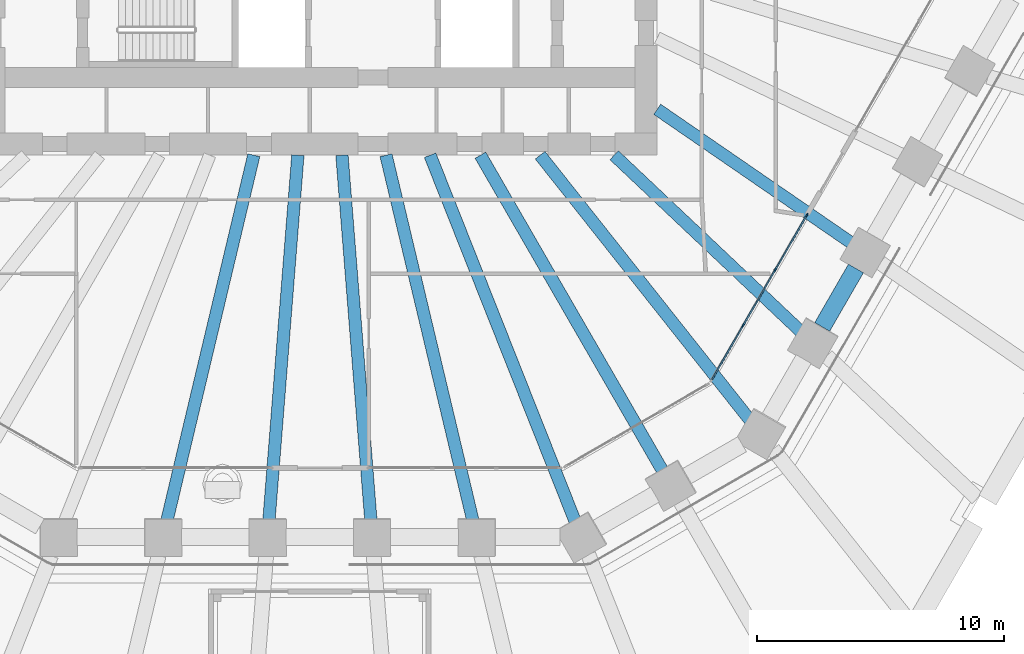
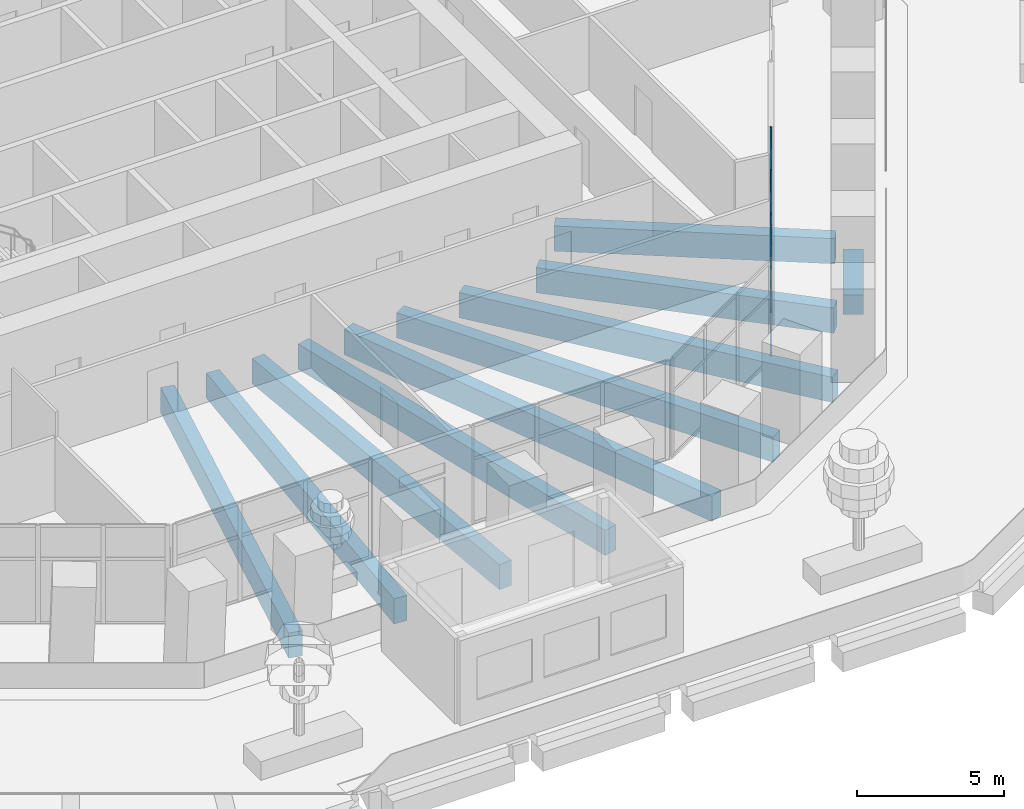
# One storey, part 8 of 32: 12 members, 10 beams, 1 element without a shape of its own.
"""IFC4 building model written with IfcOpenShell, lengths in metres."""

from ifc_helpers import new_model, si_unit, direction, frame, origin, origin_2d, place, context, subcontext, project, spatial, rectangle, extrude, material, material_profile, profile_set, type_object, element, aggregate, save


model = new_model("IFC4")

# Units and contexts
model_context = context("Model", 3, precision=1e-05, world=origin(), true_north=direction((0.0, 1.0)))
body_context = subcontext(model_context, "Body", "Model", "MODEL_VIEW")
ifc_project = project(units=[si_unit("LENGTHUNIT", "METRE"), si_unit("AREAUNIT", "SQUARE_METRE"), si_unit("VOLUMEUNIT", "CUBIC_METRE"), si_unit("PLANEANGLEUNIT", "RADIAN"), si_unit("MASSUNIT", "GRAM", prefix="KILO")], contexts=[model_context])

# Site, building, storey
site_placement = place(None, origin())
site = spatial("IfcSite", under=ifc_project, at=site_placement, CompositionType="ELEMENT")
building_placement = place(site_placement, origin())
building = spatial("IfcBuilding", under=site, at=building_placement, Name="Frailejon Research Tower", CompositionType="ELEMENT")
storey_placement = place(building_placement, frame((0.0, 0.0, 14.60009765625)))
storey = spatial("IfcBuildingStorey", under=building, at=storey_placement, Name="L03", CompositionType="ELEMENT", Elevation=14.60009765625)

# Curtain wall, members
ifc_material_1 = material(Name="Aluminium curtain wall", Category="aluminium")
curtain_wall_type = type_object("IfcCurtainWallType", Name="Base zone unitised curtain wall system", PredefinedType="NOTDEFINED", material=ifc_material_1)
curtain_wall_placement = place(storey_placement, origin())
curtain_wall = element("IfcCurtainWall", 1, at=curtain_wall_placement, inside=storey, type_object=curtain_wall_type, Name="Curtain wall L03", PredefinedType="NOTDEFINED")
ifc_material_2 = material(Name="Aluminium extrusion", Category="aluminium")
ifc_material_profile_1 = material_profile(ifc_material_2, rectangle(XDim=0.06005859375, YDim=0.159912109375, at=origin_2d()), Name="Base zone unitised curtain wall mullion 60x160")
ifc_profile_set_1 = profile_set([ifc_material_profile_1], Name="Aluminium extrusion")
member_type_1 = type_object("IfcMemberType", Name="Base zone unitised curtain wall mullion 60x160", PredefinedType="MULLION", material=ifc_profile_set_1)
member_1_placement = place(storey_placement, frame((17.127197265625, -18.135009765625, 0.0), z_axis=(0.0, 0.0, 1.0), x_axis=(-0.866029434533, 0.499993018474, 0.0)))
member_1 = element("IfcMember", 2, at=member_1_placement, type_object=member_type_1, Name="CW3-061 mullion 2", PredefinedType="MULLION", context=body_context, shape_type="SweptSolid", body=[
    extrude(rectangle(XDim=0.06005859375, YDim=0.159912109375, at=origin_2d()), origin(), (0.0, 0.0, 1.0), 4.099853515625),
])
member_2_placement = place(storey_placement, frame((18.421142578125, -15.893798828125, 0.0), z_axis=(0.0, 0.0, 1.0), x_axis=(-0.866029434533, 0.499993018474, 0.0)))
member_2 = element("IfcMember", 3, at=member_2_placement, type_object=member_type_1, Name="CW3-061 mullion 3", PredefinedType="MULLION", context=body_context, shape_type="SweptSolid", body=[
    extrude(rectangle(XDim=0.06005859375, YDim=0.159912109375, at=origin_2d()), origin(), (0.0, 0.0, 1.0), 4.099853515625),
])
member_3_placement = place(storey_placement, frame((19.699951171875, -13.678466796875, 0.0), z_axis=(0.0, 0.0, 1.0), x_axis=(-0.866029434533, 0.499993018474, 0.0)))
member_3 = element("IfcMember", 4, at=member_3_placement, type_object=member_type_1, Name="CW3-061 mullion 4", PredefinedType="MULLION", context=body_context, shape_type="SweptSolid", body=[
    extrude(rectangle(XDim=0.06005859375, YDim=0.159912109375, at=origin_2d()), origin(), (0.0, 0.0, 1.0), 4.099853515625),
])
ifc_material_3 = material(Name="Aluminium extrusion", Category="aluminium")
ifc_material_profile_2 = material_profile(ifc_material_3, rectangle(XDim=0.06005859375, YDim=0.1201171875, at=origin_2d()), Name="Base zone unitised curtain wall transom 60x120")
ifc_profile_set_2 = profile_set([ifc_material_profile_2], Name="Aluminium extrusion")
member_type_2 = type_object("IfcMemberType", Name="Base zone unitised curtain wall transom 60x120", PredefinedType="USERDEFINED", material=ifc_profile_set_2)
member_4_placement = place(storey_placement, frame((15.86328125, -20.32421875, 0.02978515625), z_axis=(0.499933970956, 0.866063522315, 0.0), x_axis=(-0.866063522315, 0.499933970956, 0.0)))
member_4 = element("IfcMember", 5, at=member_4_placement, type_object=member_type_2, Name="CW3-061 transom 1.1", ObjectType="TRANSOM", PredefinedType="USERDEFINED", context=body_context, shape_type="SweptSolid", body=[
    extrude(rectangle(XDim=0.06005859375, YDim=0.1201171875, at=origin_2d()), origin(), (0.0, 0.0, 1.0), 2.497802734375),
])
member_5_placement = place(storey_placement, frame((15.86328125, -20.32421875, 2.699951171875), z_axis=(0.499933970956, 0.866063522315, 0.0), x_axis=(-0.866063522315, 0.499933970956, 0.0)))
member_5 = element("IfcMember", 6, at=member_5_placement, type_object=member_type_2, Name="CW3-061 transom 1.2", ObjectType="TRANSOM", PredefinedType="USERDEFINED", context=body_context, shape_type="SweptSolid", body=[
    extrude(rectangle(XDim=0.06005859375, YDim=0.1201171875, at=origin_2d()), origin(), (0.0, 0.0, 1.0), 2.497802734375),
])
member_6_placement = place(storey_placement, frame((15.86328125, -20.32421875, 4.06982421875), z_axis=(0.499933970956, 0.866063522315, 0.0), x_axis=(-0.866063522315, 0.499933970956, 0.0)))
member_6 = element("IfcMember", 7, at=member_6_placement, type_object=member_type_2, Name="CW3-061 transom 1.3", ObjectType="TRANSOM", PredefinedType="USERDEFINED", context=body_context, shape_type="SweptSolid", body=[
    extrude(rectangle(XDim=0.06005859375, YDim=0.1201171875, at=origin_2d()), origin(), (0.0, 0.0, 1.0), 2.497802734375),
])
member_7_placement = place(storey_placement, frame((17.14208984375, -18.10888671875, 0.02978515625), z_axis=(0.499992766374, 0.86602958008, 0.0), x_axis=(-0.86602958008, 0.499992766374, 0.0)))
member_7 = element("IfcMember", 8, at=member_7_placement, type_object=member_type_2, Name="CW3-061 transom 2.1", ObjectType="TRANSOM", PredefinedType="USERDEFINED", context=body_context, shape_type="SweptSolid", body=[
    extrude(rectangle(XDim=0.06005859375, YDim=0.1201171875, at=origin_2d()), origin(), (0.0, 0.0, 1.0), 2.52783203125),
])
member_8_placement = place(storey_placement, frame((17.14208984375, -18.10888671875, 2.699951171875), z_axis=(0.499992766374, 0.86602958008, 0.0), x_axis=(-0.86602958008, 0.499992766374, 0.0)))
member_8 = element("IfcMember", 9, at=member_8_placement, type_object=member_type_2, Name="CW3-061 transom 2.2", ObjectType="TRANSOM", PredefinedType="USERDEFINED", context=body_context, shape_type="SweptSolid", body=[
    extrude(rectangle(XDim=0.06005859375, YDim=0.1201171875, at=origin_2d()), origin(), (0.0, 0.0, 1.0), 2.52783203125),
])
member_9_placement = place(storey_placement, frame((17.14208984375, -18.10888671875, 4.06982421875), z_axis=(0.499992766374, 0.86602958008, 0.0), x_axis=(-0.86602958008, 0.499992766374, 0.0)))
member_9 = element("IfcMember", 10, at=member_9_placement, type_object=member_type_2, Name="CW3-061 transom 2.3", ObjectType="TRANSOM", PredefinedType="USERDEFINED", context=body_context, shape_type="SweptSolid", body=[
    extrude(rectangle(XDim=0.06005859375, YDim=0.1201171875, at=origin_2d()), origin(), (0.0, 0.0, 1.0), 2.52783203125),
])
member_10_placement = place(storey_placement, frame((18.43603515625, -15.86767578125, 0.02978515625), z_axis=(0.500007276137, 0.866021202864, 0.0), x_axis=(-0.866021202864, 0.500007276137, 0.0)))
member_10 = element("IfcMember", 11, at=member_10_placement, type_object=member_type_2, Name="CW3-061 transom 3.1", ObjectType="TRANSOM", PredefinedType="USERDEFINED", context=body_context, shape_type="SweptSolid", body=[
    extrude(rectangle(XDim=0.06005859375, YDim=0.1201171875, at=origin_2d()), origin(), (0.0, 0.0, 1.0), 2.498046875),
])
member_11_placement = place(storey_placement, frame((18.43603515625, -15.86767578125, 2.699951171875), z_axis=(0.500007276137, 0.866021202864, 0.0), x_axis=(-0.866021202864, 0.500007276137, 0.0)))
member_11 = element("IfcMember", 12, at=member_11_placement, type_object=member_type_2, Name="CW3-061 transom 3.2", ObjectType="TRANSOM", PredefinedType="USERDEFINED", context=body_context, shape_type="SweptSolid", body=[
    extrude(rectangle(XDim=0.06005859375, YDim=0.1201171875, at=origin_2d()), origin(), (0.0, 0.0, 1.0), 2.498046875),
])
member_12_placement = place(storey_placement, frame((18.43603515625, -15.86767578125, 4.06982421875), z_axis=(0.500007276137, 0.866021202864, 0.0), x_axis=(-0.866021202864, 0.500007276137, 0.0)))
member_12 = element("IfcMember", 13, at=member_12_placement, type_object=member_type_2, Name="CW3-061 transom 3.3", ObjectType="TRANSOM", PredefinedType="USERDEFINED", context=body_context, shape_type="SweptSolid", body=[
    extrude(rectangle(XDim=0.06005859375, YDim=0.1201171875, at=origin_2d()), origin(), (0.0, 0.0, 1.0), 2.498046875),
])
aggregate(curtain_wall, [member_1, member_2, member_3, member_4, member_5, member_6, member_7, member_8, member_9, member_10, member_11, member_12])

# Beams
ifc_material_4 = material(Name="Concrete C60/75", Category="concrete")
ifc_material_profile_3 = material_profile(ifc_material_4, rectangle(XDim=0.5, YDim=1.050048828125, at=origin_2d()), Name="Girder 500x1050")
ifc_profile_set_3 = profile_set([ifc_material_profile_3], Name="Concrete C60/75")
beam_type_1 = type_object("IfcBeamType", Name="Girder 500x1050", PredefinedType="BEAM", material=ifc_profile_set_3)
beam_1_placement = place(storey_placement, frame((-6.204345703125, -26.095947265625, -0.8251953125), z_axis=(0.23129751331, 0.972883066117, 0.0), x_axis=(-0.972883066117, 0.23129751331, 0.0)))
element("IfcBeam", 14, at=beam_1_placement, inside=storey, type_object=beam_type_1, Name="Girder 500x1050", PredefinedType="BEAM", context=body_context, shape_type="SweptSolid", body=[
    extrude(rectangle(XDim=0.5, YDim=1.050048828125, at=origin_2d()), origin(), (0.0, 0.0, 1.0), 15.259765625),
])
for number, where, z_axis, x_axis, name in (
    (15, (-2.068359375, -26.099609375, -0.8251953125), (0.078997380142, 0.996874823602, 0.0), (-0.996874823602, 0.078997380142, 0.0), "Girder 500x1050"),
    (16, (2.068359375, -26.099609375, -0.8251953125), (-0.078997380142, 0.996874823602, 0.0), (-0.996874823602, -0.078997380142, 0.0), "Girder 500x1050"),
):
    element("IfcBeam", number, at=place(storey_placement, frame(where, z_axis=z_axis, x_axis=x_axis)), inside=storey, type_object=beam_type_1, Name=name, PredefinedType="BEAM", context=body_context, shape_type="SweptSolid", body=[
        extrude(rectangle(XDim=0.5, YDim=1.050048828125, at=origin_2d()), origin(), (0.0, 0.0, 1.0), 14.896240234375),
    ])
beam_2_placement = place(storey_placement, frame((6.204345703125, -26.095947265625, -0.8251953125), z_axis=(-0.23129751331, 0.972883066117, 0.0), x_axis=(-0.972883066117, -0.23129751331, 0.0)))
element("IfcBeam", 17, at=beam_2_placement, inside=storey, type_object=beam_type_1, Name="Girder 500x1050", PredefinedType="BEAM", context=body_context, shape_type="SweptSolid", body=[
    extrude(rectangle(XDim=0.5, YDim=1.050048828125, at=origin_2d()), origin(), (0.0, 0.0, 1.0), 15.259765625),
])
beam_3_placement = place(storey_placement, frame((10.35595703125, -26.134765625, -0.8251953125), z_axis=(-0.368388986128, 0.929671745779, 0.0), x_axis=(-0.929671745779, -0.368388986128, 0.0)))
element("IfcBeam", 18, at=beam_3_placement, inside=storey, type_object=beam_type_1, Name="Girder 500x1050", PredefinedType="BEAM", context=body_context, shape_type="SweptSolid", body=[
    extrude(rectangle(XDim=0.5, YDim=1.050048828125, at=origin_2d()), origin(), (0.0, 0.0, 1.0), 16.0107421875),
])
beam_4_placement = place(storey_placement, frame((13.906494140625, -24.086669921875, -0.8251953125), z_axis=(-0.500006178988, 0.866021836315, 0.0), x_axis=(-0.866021836315, -0.500006178988, 0.0)))
element("IfcBeam", 19, at=beam_4_placement, inside=storey, type_object=beam_type_1, Name="Girder 500x1050", PredefinedType="BEAM", context=body_context, shape_type="SweptSolid", body=[
    extrude(rectangle(XDim=0.5, YDim=1.050048828125, at=origin_2d()), origin(), (0.0, 0.0, 1.0), 14.822509765625),
])
beam_5_placement = place(storey_placement, frame((17.425048828125, -21.99755859375, -0.8251953125), z_axis=(-0.620924577029, 0.7838703143, 0.0), x_axis=(-0.7838703143, -0.620924577029, 0.0)))
element("IfcBeam", 20, at=beam_5_placement, inside=storey, type_object=beam_type_1, Name="Girder 500x1050", PredefinedType="BEAM", context=body_context, shape_type="SweptSolid", body=[
    extrude(rectangle(XDim=0.5, YDim=1.050048828125, at=origin_2d()), origin(), (0.0, 0.0, 1.0), 13.7109375),
])
beam_6_placement = place(storey_placement, frame((19.49755859375, -18.421142578125, -0.8251953125), z_axis=(-0.726882810127, 0.686761516352, 0.0), x_axis=(-0.686761516352, -0.726882810127, 0.0)))
element("IfcBeam", 21, at=beam_6_placement, inside=storey, type_object=beam_type_1, Name="Girder 500x1050", PredefinedType="BEAM", context=body_context, shape_type="SweptSolid", body=[
    extrude(rectangle(XDim=0.5, YDim=1.050048828125, at=origin_2d()), origin(), (0.0, 0.0, 1.0), 10.44189453125),
])
beam_7_placement = place(storey_placement, frame((21.568603515625, -14.841064453125, -0.8251953125), z_axis=(-0.823817310549, 0.566855395, 0.0), x_axis=(-0.566855395, -0.823817310549, 0.0)))
element("IfcBeam", 22, at=beam_7_placement, inside=storey, type_object=beam_type_1, Name="Girder 500x1050", PredefinedType="BEAM", context=body_context, shape_type="SweptSolid", body=[
    extrude(rectangle(XDim=0.5, YDim=1.050048828125, at=origin_2d()), origin(), (0.0, 0.0, 1.0), 9.6123046875),
])
ifc_material_5 = material(Name="Concrete C60/75", Category="concrete")
ifc_material_profile_4 = material_profile(ifc_material_5, rectangle(XDim=0.699951171875, YDim=0.800048828125, at=origin_2d()), Name="Spandrel 700x800")
ifc_profile_set_4 = profile_set([ifc_material_profile_4], Name="Concrete C60/75")
beam_type_2 = type_object("IfcBeamType", Name="Spandrel 700x800", PredefinedType="BEAM", material=ifc_profile_set_4)
beam_8_placement = place(storey_placement, frame((20.323974609375, -18.197998046875, -0.75), z_axis=(0.499993199895, 0.866029329791, 0.0), x_axis=(-0.866029329791, 0.499993199895, 0.0)))
element("IfcBeam", 23, at=beam_8_placement, inside=storey, type_object=beam_type_2, Name="Spandrel 700x800", PredefinedType="BEAM", context=body_context, shape_type="SweptSolid", body=[
    extrude(rectangle(XDim=0.699951171875, YDim=0.800048828125, at=origin_2d()), origin(), (0.0, 0.0, 1.0), 2.73193359375),
])

save(model, "model.ifc")
